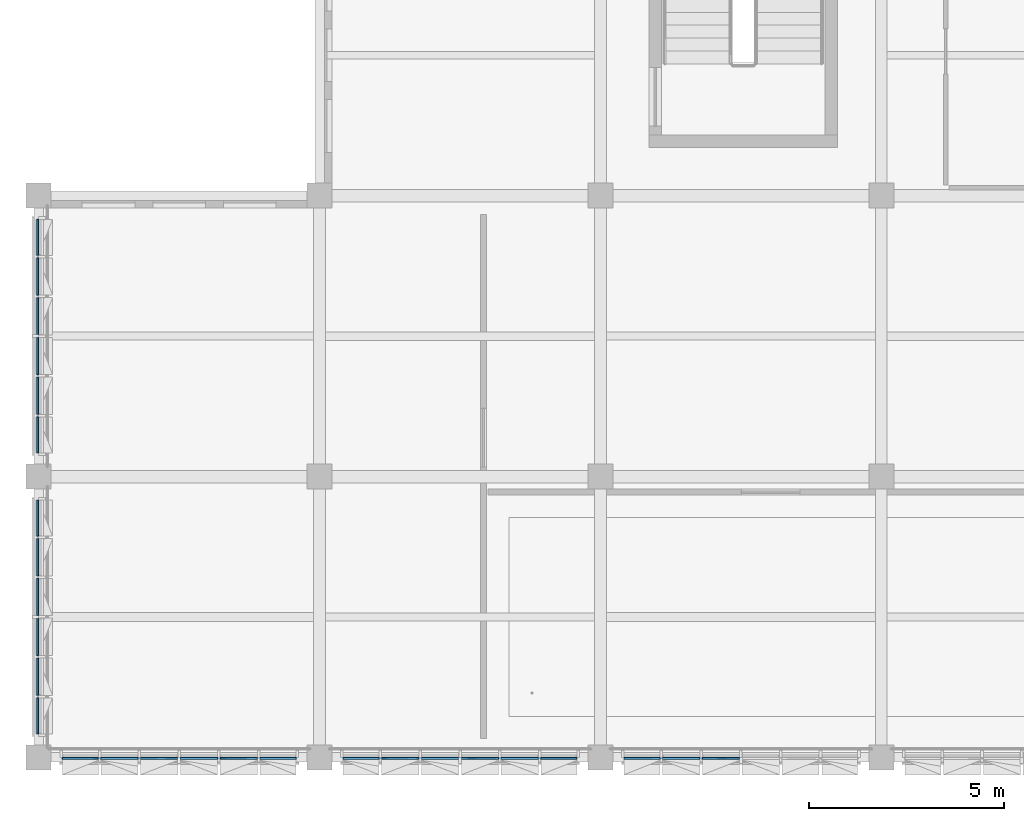
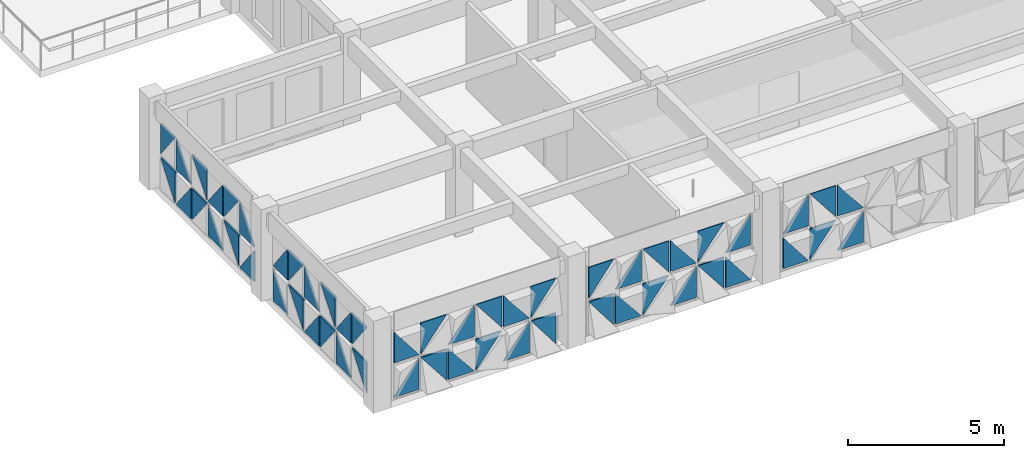
# One storey, part 29 of 85: 54 plates, 5 elements without a shape of their own.
"""IFC4 building model written with IfcOpenShell, lengths in metres."""

from ifc_helpers import new_model, si_unit, direction, frame, origin, place, context, subcontext, project, spatial, polyline, outline, extrude, material, layer, layer_set, type_object, element, aggregate, save


model = new_model("IFC4")

# Units and contexts
model_context = context("Model", 3, precision=1e-05, world=origin(), true_north=direction((0.0, 1.0)))
body_context = subcontext(model_context, "Body", "Model", "MODEL_VIEW")
ifc_project = project(units=[si_unit("LENGTHUNIT", "METRE"), si_unit("AREAUNIT", "SQUARE_METRE"), si_unit("VOLUMEUNIT", "CUBIC_METRE"), si_unit("PLANEANGLEUNIT", "RADIAN"), si_unit("MASSUNIT", "GRAM", prefix="KILO")], contexts=[model_context])

# Site, building, storey
site_placement = place(None, origin())
site = spatial("IfcSite", under=ifc_project, at=site_placement, CompositionType="ELEMENT")
building_placement = place(site_placement, origin())
building = spatial("IfcBuilding", under=site, at=building_placement, Name="Alvorim Cloister Faculty of Sciences", CompositionType="ELEMENT")
storey_placement = place(building_placement, frame((0.0, 0.0, 8.550048828125)))
storey = spatial("IfcBuildingStorey", under=building, at=storey_placement, Name="L02", CompositionType="ELEMENT", Elevation=8.550048828125)

# Curtain wall, plates
ifc_material_1 = material(Name="Aluminium and Low-E Glass Curtain Wall", Category="aluminium")
curtain_wall_type = type_object("IfcCurtainWallType", Name="CW-TRI-6120x2850", PredefinedType="USERDEFINED", material=ifc_material_1)
curtain_wall_1_placement = place(storey_placement, origin())
curtain_wall_1 = element("IfcCurtainWall", 1, at=curtain_wall_1_placement, inside=storey, type_object=curtain_wall_type, Name="L02 Diagonal Cassette Curtain Wall CW-0085", ObjectType="UNITISED CURTAIN WALL", PredefinedType="USERDEFINED")
ifc_material_2 = material(Name="Double Low-E Laminated Glass", Category="glass")
ifc_layer = layer(ifc_material_2, 0.0400390625)
ifc_layer_set = layer_set([ifc_layer], Name="Double Low-E Laminated Glass")
plate_type = type_object("IfcPlateType", Name="PN-GLZ-40", PredefinedType="CURTAIN_PANEL", material=ifc_layer_set)
plate_1_placement = place(storey_placement, frame((15.0048828125, -0.02490234375, 0.139892578125), z_axis=(0.0, 0.0, 1.0), x_axis=(1.0, 0.0, 0.0)))
plate_1 = element("IfcPlate", 2, at=plate_1_placement, type_object=plate_type, Name="Diagonal Glazed Triangle TRI-BL", PredefinedType="CURTAIN_PANEL", context=body_context, shape_type="SweptSolid", body=[
    extrude(outline(polyline([(0.0, 0.0), (0.920654296875, 0.0), (0.0, 1.213134765625), (0.0, 0.0)])), frame((0.0, 0.02490234375, 0.0), z_axis=(0.0, -1.0, 0.0), x_axis=(1.0, 0.0, 0.0)), (0.0, 0.0, 1.0), 0.050048828125),
])
plate_2_placement = place(storey_placement, frame((15.0048828125, -0.02490234375, 1.494873046875), z_axis=(0.0, 0.0, 1.0), x_axis=(1.0, 0.0, 0.0)))
plate_2 = element("IfcPlate", 3, at=plate_2_placement, type_object=plate_type, Name="Diagonal Glazed Triangle TRI-BR", PredefinedType="CURTAIN_PANEL", context=body_context, shape_type="SweptSolid", body=[
    extrude(outline(polyline([(0.001953125, 0.0), (0.922607421875, 0.0), (0.922607421875, 1.213134765625), (0.001953125, 0.0)])), frame((0.0, 0.02490234375, 0.0), z_axis=(0.0, -1.0, 0.0), x_axis=(1.0, 0.0, 0.0)), (0.0, 0.0, 1.0), 0.050048828125),
])
plate_3_placement = place(storey_placement, frame((15.992431640625, -0.02490234375, 0.139892578125), z_axis=(0.0, 0.0, 1.0), x_axis=(1.0, 0.0, 0.0)))
plate_3 = element("IfcPlate", 4, at=plate_3_placement, type_object=plate_type, Name="Diagonal Glazed Triangle TRI-TL", PredefinedType="CURTAIN_PANEL", context=body_context, shape_type="SweptSolid", body=[
    extrude(outline(polyline([(0.953125, 1.215087890625), (0.0, 1.215087890625), (0.0, 0.001953125), (0.953125, 1.215087890625)])), frame((0.0, 0.02490234375, 0.0), z_axis=(0.0, -1.0, 0.0), x_axis=(1.0, 0.0, 0.0)), (0.0, 0.0, 1.0), 0.050048828125),
])
plate_4_placement = place(storey_placement, frame((15.992431640625, -0.02490234375, 1.494873046875), z_axis=(0.0, 0.0, 1.0), x_axis=(1.0, 0.0, 0.0)))
plate_4 = element("IfcPlate", 5, at=plate_4_placement, type_object=plate_type, Name="Diagonal Glazed Triangle TRI-TR", PredefinedType="CURTAIN_PANEL", context=body_context, shape_type="SweptSolid", body=[
    extrude(outline(polyline([(0.955078125, 0.001953125), (0.955078125, 1.215087890625), (0.001953125, 1.215087890625), (0.955078125, 0.001953125)])), frame((0.0, 0.02490234375, 0.0), z_axis=(0.0, -1.0, 0.0), x_axis=(1.0, 0.0, 0.0)), (0.0, 0.0, 1.0), 0.050048828125),
])
plate_5_placement = place(storey_placement, frame((17.012451171875, -0.02490234375, 0.139892578125), z_axis=(0.0, 0.0, 1.0), x_axis=(1.0, 0.0, 0.0)))
plate_5 = element("IfcPlate", 6, at=plate_5_placement, type_object=plate_type, Name="Diagonal Glazed Triangle TRI-BR", PredefinedType="CURTAIN_PANEL", context=body_context, shape_type="SweptSolid", body=[
    extrude(outline(polyline([(0.001953125, 0.0), (0.955078125, 0.0), (0.955078125, 1.213134765625), (0.001953125, 0.0)])), frame((0.0, 0.02490234375, 0.0), z_axis=(0.0, -1.0, 0.0), x_axis=(1.0, 0.0, 0.0)), (0.0, 0.0, 1.0), 0.050048828125),
])
plate_6_placement = place(storey_placement, frame((17.012451171875, -0.02490234375, 1.494873046875), z_axis=(0.0, 0.0, 1.0), x_axis=(1.0, 0.0, 0.0)))
plate_6 = element("IfcPlate", 7, at=plate_6_placement, type_object=plate_type, Name="Diagonal Glazed Triangle TRI-BL", PredefinedType="CURTAIN_PANEL", context=body_context, shape_type="SweptSolid", body=[
    extrude(outline(polyline([(0.0, 0.0), (0.953125, 0.0), (0.0, 1.213134765625), (0.0, 0.0)])), frame((0.0, 0.02490234375, 0.0), z_axis=(0.0, -1.0, 0.0), x_axis=(1.0, 0.0, 0.0)), (0.0, 0.0, 1.0), 0.050048828125),
])
aggregate(curtain_wall_1, [plate_1, plate_2, plate_3, plate_4, plate_5, plate_6])

curtain_wall_2_placement = place(storey_placement, origin())
curtain_wall_2 = element("IfcCurtainWall", 8, at=curtain_wall_2_placement, inside=storey, type_object=curtain_wall_type, Name="L02 Diagonal Cassette Curtain Wall CW-0086", ObjectType="UNITISED CURTAIN WALL", PredefinedType="USERDEFINED")
plate_7_placement = place(storey_placement, frame((7.804931640625, -0.02490234375, 0.139892578125), z_axis=(0.0, 0.0, 1.0), x_axis=(1.0, 0.0, 0.0)))
plate_7 = element("IfcPlate", 9, at=plate_7_placement, type_object=plate_type, Name="Diagonal Glazed Triangle TRI-TR", PredefinedType="CURTAIN_PANEL", context=body_context, shape_type="SweptSolid", body=[
    extrude(outline(polyline([(0.922607421875, 0.001953125), (0.922607421875, 1.215087890625), (0.001953125, 1.215087890625), (0.922607421875, 0.001953125)])), frame((0.0, 0.02490234375, 0.0), z_axis=(0.0, -1.0, 0.0), x_axis=(1.0, 0.0, 0.0)), (0.0, 0.0, 1.0), 0.050048828125),
])
plate_8_placement = place(storey_placement, frame((7.804931640625, -0.02490234375, 1.494873046875), z_axis=(0.0, 0.0, 1.0), x_axis=(1.0, 0.0, 0.0)))
plate_8 = element("IfcPlate", 10, at=plate_8_placement, type_object=plate_type, Name="Diagonal Glazed Triangle TRI-TL", PredefinedType="CURTAIN_PANEL", context=body_context, shape_type="SweptSolid", body=[
    extrude(outline(polyline([(0.920654296875, 1.215087890625), (0.0, 1.215087890625), (0.0, 0.001953125), (0.920654296875, 1.215087890625)])), frame((0.0, 0.02490234375, 0.0), z_axis=(0.0, -1.0, 0.0), x_axis=(1.0, 0.0, 0.0)), (0.0, 0.0, 1.0), 0.050048828125),
])
plate_9_placement = place(storey_placement, frame((8.79248046875, -0.02490234375, 0.139892578125), z_axis=(0.0, 0.0, 1.0), x_axis=(1.0, 0.0, 0.0)))
plate_9 = element("IfcPlate", 11, at=plate_9_placement, type_object=plate_type, Name="Diagonal Glazed Triangle TRI-BL", PredefinedType="CURTAIN_PANEL", context=body_context, shape_type="SweptSolid", body=[
    extrude(outline(polyline([(0.0, 0.0), (0.953125, 0.0), (0.0, 1.213134765625), (0.0, 0.0)])), frame((0.0, 0.02490234375, 0.0), z_axis=(0.0, -1.0, 0.0), x_axis=(1.0, 0.0, 0.0)), (0.0, 0.0, 1.0), 0.050048828125),
])
plate_10_placement = place(storey_placement, frame((8.79248046875, -0.02490234375, 1.494873046875), z_axis=(0.0, 0.0, 1.0), x_axis=(1.0, 0.0, 0.0)))
plate_10 = element("IfcPlate", 12, at=plate_10_placement, type_object=plate_type, Name="Diagonal Glazed Triangle TRI-BR", PredefinedType="CURTAIN_PANEL", context=body_context, shape_type="SweptSolid", body=[
    extrude(outline(polyline([(0.001953125, 0.0), (0.955078125, 0.0), (0.955078125, 1.213134765625), (0.001953125, 0.0)])), frame((0.0, 0.02490234375, 0.0), z_axis=(0.0, -1.0, 0.0), x_axis=(1.0, 0.0, 0.0)), (0.0, 0.0, 1.0), 0.050048828125),
])
plate_11_placement = place(storey_placement, frame((9.8125, -0.02490234375, 0.139892578125), z_axis=(0.0, 0.0, 1.0), x_axis=(1.0, 0.0, 0.0)))
plate_11 = element("IfcPlate", 13, at=plate_11_placement, type_object=plate_type, Name="Diagonal Glazed Triangle TRI-TL", PredefinedType="CURTAIN_PANEL", context=body_context, shape_type="SweptSolid", body=[
    extrude(outline(polyline([(0.953125, 1.215087890625), (0.0, 1.215087890625), (0.0, 0.001953125), (0.953125, 1.215087890625)])), frame((0.0, 0.02490234375, 0.0), z_axis=(0.0, -1.0, 0.0), x_axis=(1.0, 0.0, 0.0)), (0.0, 0.0, 1.0), 0.050048828125),
])
plate_12_placement = place(storey_placement, frame((9.8125, -0.02490234375, 1.494873046875), z_axis=(0.0, 0.0, 1.0), x_axis=(1.0, 0.0, 0.0)))
plate_12 = element("IfcPlate", 14, at=plate_12_placement, type_object=plate_type, Name="Diagonal Glazed Triangle TRI-TR", PredefinedType="CURTAIN_PANEL", context=body_context, shape_type="SweptSolid", body=[
    extrude(outline(polyline([(0.955078125, 0.001953125), (0.955078125, 1.215087890625), (0.001953125, 1.215087890625), (0.955078125, 0.001953125)])), frame((0.0, 0.02490234375, 0.0), z_axis=(0.0, -1.0, 0.0), x_axis=(1.0, 0.0, 0.0)), (0.0, 0.0, 1.0), 0.050048828125),
])
plate_13_placement = place(storey_placement, frame((10.83251953125, -0.02490234375, 0.139892578125), z_axis=(0.0, 0.0, 1.0), x_axis=(1.0, 0.0, 0.0)))
plate_13 = element("IfcPlate", 15, at=plate_13_placement, type_object=plate_type, Name="Diagonal Glazed Triangle TRI-BR", PredefinedType="CURTAIN_PANEL", context=body_context, shape_type="SweptSolid", body=[
    extrude(outline(polyline([(0.001953125, 0.0), (0.955078125, 0.0), (0.955078125, 1.213134765625), (0.001953125, 0.0)])), frame((0.0, 0.02490234375, 0.0), z_axis=(0.0, -1.0, 0.0), x_axis=(1.0, 0.0, 0.0)), (0.0, 0.0, 1.0), 0.050048828125),
])
plate_14_placement = place(storey_placement, frame((10.83251953125, -0.02490234375, 1.494873046875), z_axis=(0.0, 0.0, 1.0), x_axis=(1.0, 0.0, 0.0)))
plate_14 = element("IfcPlate", 16, at=plate_14_placement, type_object=plate_type, Name="Diagonal Glazed Triangle TRI-BL", PredefinedType="CURTAIN_PANEL", context=body_context, shape_type="SweptSolid", body=[
    extrude(outline(polyline([(0.0, 0.0), (0.953125, 0.0), (0.0, 1.213134765625), (0.0, 0.0)])), frame((0.0, 0.02490234375, 0.0), z_axis=(0.0, -1.0, 0.0), x_axis=(1.0, 0.0, 0.0)), (0.0, 0.0, 1.0), 0.050048828125),
])
plate_15_placement = place(storey_placement, frame((11.8525390625, -0.02490234375, 0.139892578125), z_axis=(0.0, 0.0, 1.0), x_axis=(1.0, 0.0, 0.0)))
plate_15 = element("IfcPlate", 17, at=plate_15_placement, type_object=plate_type, Name="Diagonal Glazed Triangle TRI-TR", PredefinedType="CURTAIN_PANEL", context=body_context, shape_type="SweptSolid", body=[
    extrude(outline(polyline([(0.955078125, 0.001953125), (0.955078125, 1.215087890625), (0.001953125, 1.215087890625), (0.955078125, 0.001953125)])), frame((0.0, 0.02490234375, 0.0), z_axis=(0.0, -1.0, 0.0), x_axis=(1.0, 0.0, 0.0)), (0.0, 0.0, 1.0), 0.050048828125),
])
plate_16_placement = place(storey_placement, frame((11.8525390625, -0.02490234375, 1.494873046875), z_axis=(0.0, 0.0, 1.0), x_axis=(1.0, 0.0, 0.0)))
plate_16 = element("IfcPlate", 18, at=plate_16_placement, type_object=plate_type, Name="Diagonal Glazed Triangle TRI-TL", PredefinedType="CURTAIN_PANEL", context=body_context, shape_type="SweptSolid", body=[
    extrude(outline(polyline([(0.953125, 1.215087890625), (0.0, 1.215087890625), (0.0, 0.001953125), (0.953125, 1.215087890625)])), frame((0.0, 0.02490234375, 0.0), z_axis=(0.0, -1.0, 0.0), x_axis=(1.0, 0.0, 0.0)), (0.0, 0.0, 1.0), 0.050048828125),
])
plate_17_placement = place(storey_placement, frame((12.87255859375, -0.02490234375, 0.139892578125), z_axis=(0.0, 0.0, 1.0), x_axis=(1.0, 0.0, 0.0)))
plate_17 = element("IfcPlate", 19, at=plate_17_placement, type_object=plate_type, Name="Diagonal Glazed Triangle TRI-BL", PredefinedType="CURTAIN_PANEL", context=body_context, shape_type="SweptSolid", body=[
    extrude(outline(polyline([(0.0, 0.0), (0.920654296875, 0.0), (0.0, 1.213134765625), (0.0, 0.0)])), frame((0.0, 0.02490234375, 0.0), z_axis=(0.0, -1.0, 0.0), x_axis=(1.0, 0.0, 0.0)), (0.0, 0.0, 1.0), 0.050048828125),
])
plate_18_placement = place(storey_placement, frame((12.87255859375, -0.02490234375, 1.494873046875), z_axis=(0.0, 0.0, 1.0), x_axis=(1.0, 0.0, 0.0)))
plate_18 = element("IfcPlate", 20, at=plate_18_placement, type_object=plate_type, Name="Diagonal Glazed Triangle TRI-BR", PredefinedType="CURTAIN_PANEL", context=body_context, shape_type="SweptSolid", body=[
    extrude(outline(polyline([(0.001953125, 0.0), (0.922607421875, 0.0), (0.922607421875, 1.213134765625), (0.001953125, 0.0)])), frame((0.0, 0.02490234375, 0.0), z_axis=(0.0, -1.0, 0.0), x_axis=(1.0, 0.0, 0.0)), (0.0, 0.0, 1.0), 0.050048828125),
])
aggregate(curtain_wall_2, [plate_7, plate_8, plate_9, plate_10, plate_11, plate_12, plate_13, plate_14, plate_15, plate_16, plate_17, plate_18])

curtain_wall_3_placement = place(storey_placement, origin())
curtain_wall_3 = element("IfcCurtainWall", 21, at=curtain_wall_3_placement, inside=storey, type_object=curtain_wall_type, Name="L02 Diagonal Cassette Curtain Wall CW-0087", ObjectType="UNITISED CURTAIN WALL", PredefinedType="USERDEFINED")
plate_19_placement = place(storey_placement, frame((0.60498046875, -0.02490234375, 0.139892578125), z_axis=(0.0, 0.0, 1.0), x_axis=(1.0, 0.0, 0.0)))
plate_19 = element("IfcPlate", 22, at=plate_19_placement, type_object=plate_type, Name="Diagonal Glazed Triangle TRI-BR", PredefinedType="CURTAIN_PANEL", context=body_context, shape_type="SweptSolid", body=[
    extrude(outline(polyline([(0.001953125, 0.0), (0.922607421875, 0.0), (0.922607421875, 1.213134765625), (0.001953125, 0.0)])), frame((0.0, 0.02490234375, 0.0), z_axis=(0.0, -1.0, 0.0), x_axis=(1.0, 0.0, 0.0)), (0.0, 0.0, 1.0), 0.050048828125),
])
plate_20_placement = place(storey_placement, frame((0.60498046875, -0.02490234375, 1.494873046875), z_axis=(0.0, 0.0, 1.0), x_axis=(1.0, 0.0, 0.0)))
plate_20 = element("IfcPlate", 23, at=plate_20_placement, type_object=plate_type, Name="Diagonal Glazed Triangle TRI-BL", PredefinedType="CURTAIN_PANEL", context=body_context, shape_type="SweptSolid", body=[
    extrude(outline(polyline([(0.0, 0.0), (0.920654296875, 0.0), (0.0, 1.213134765625), (0.0, 0.0)])), frame((0.0, 0.02490234375, 0.0), z_axis=(0.0, -1.0, 0.0), x_axis=(1.0, 0.0, 0.0)), (0.0, 0.0, 1.0), 0.050048828125),
])
plate_21_placement = place(storey_placement, frame((1.592529296875, -0.02490234375, 0.139892578125), z_axis=(0.0, 0.0, 1.0), x_axis=(1.0, 0.0, 0.0)))
plate_21 = element("IfcPlate", 24, at=plate_21_placement, type_object=plate_type, Name="Diagonal Glazed Triangle TRI-TR", PredefinedType="CURTAIN_PANEL", context=body_context, shape_type="SweptSolid", body=[
    extrude(outline(polyline([(0.955078125, 0.001953125), (0.955078125, 1.215087890625), (0.001953125, 1.215087890625), (0.955078125, 0.001953125)])), frame((0.0, 0.02490234375, 0.0), z_axis=(0.0, -1.0, 0.0), x_axis=(1.0, 0.0, 0.0)), (0.0, 0.0, 1.0), 0.050048828125),
])
plate_22_placement = place(storey_placement, frame((1.592529296875, -0.02490234375, 1.494873046875), z_axis=(0.0, 0.0, 1.0), x_axis=(1.0, 0.0, 0.0)))
plate_22 = element("IfcPlate", 25, at=plate_22_placement, type_object=plate_type, Name="Diagonal Glazed Triangle TRI-TL", PredefinedType="CURTAIN_PANEL", context=body_context, shape_type="SweptSolid", body=[
    extrude(outline(polyline([(0.953125, 1.215087890625), (0.0, 1.215087890625), (0.0, 0.001953125), (0.953125, 1.215087890625)])), frame((0.0, 0.02490234375, 0.0), z_axis=(0.0, -1.0, 0.0), x_axis=(1.0, 0.0, 0.0)), (0.0, 0.0, 1.0), 0.050048828125),
])
plate_23_placement = place(storey_placement, frame((2.612548828125, -0.02490234375, 0.139892578125), z_axis=(0.0, 0.0, 1.0), x_axis=(1.0, 0.0, 0.0)))
plate_23 = element("IfcPlate", 26, at=plate_23_placement, type_object=plate_type, Name="Diagonal Glazed Triangle TRI-BL", PredefinedType="CURTAIN_PANEL", context=body_context, shape_type="SweptSolid", body=[
    extrude(outline(polyline([(0.0, 0.0), (0.953125, 0.0), (0.0, 1.213134765625), (0.0, 0.0)])), frame((0.0, 0.02490234375, 0.0), z_axis=(0.0, -1.0, 0.0), x_axis=(1.0, 0.0, 0.0)), (0.0, 0.0, 1.0), 0.050048828125),
])
plate_24_placement = place(storey_placement, frame((2.612548828125, -0.02490234375, 1.494873046875), z_axis=(0.0, 0.0, 1.0), x_axis=(1.0, 0.0, 0.0)))
plate_24 = element("IfcPlate", 27, at=plate_24_placement, type_object=plate_type, Name="Diagonal Glazed Triangle TRI-BR", PredefinedType="CURTAIN_PANEL", context=body_context, shape_type="SweptSolid", body=[
    extrude(outline(polyline([(0.001953125, 0.0), (0.955078125, 0.0), (0.955078125, 1.213134765625), (0.001953125, 0.0)])), frame((0.0, 0.02490234375, 0.0), z_axis=(0.0, -1.0, 0.0), x_axis=(1.0, 0.0, 0.0)), (0.0, 0.0, 1.0), 0.050048828125),
])
plate_25_placement = place(storey_placement, frame((3.632568359375, -0.02490234375, 0.139892578125), z_axis=(0.0, 0.0, 1.0), x_axis=(1.0, 0.0, 0.0)))
plate_25 = element("IfcPlate", 28, at=plate_25_placement, type_object=plate_type, Name="Diagonal Glazed Triangle TRI-TL", PredefinedType="CURTAIN_PANEL", context=body_context, shape_type="SweptSolid", body=[
    extrude(outline(polyline([(0.953125, 1.215087890625), (0.0, 1.215087890625), (0.0, 0.001953125), (0.953125, 1.215087890625)])), frame((0.0, 0.02490234375, 0.0), z_axis=(0.0, -1.0, 0.0), x_axis=(1.0, 0.0, 0.0)), (0.0, 0.0, 1.0), 0.050048828125),
])
plate_26_placement = place(storey_placement, frame((3.632568359375, -0.02490234375, 1.494873046875), z_axis=(0.0, 0.0, 1.0), x_axis=(1.0, 0.0, 0.0)))
plate_26 = element("IfcPlate", 29, at=plate_26_placement, type_object=plate_type, Name="Diagonal Glazed Triangle TRI-TR", PredefinedType="CURTAIN_PANEL", context=body_context, shape_type="SweptSolid", body=[
    extrude(outline(polyline([(0.955078125, 0.001953125), (0.955078125, 1.215087890625), (0.001953125, 1.215087890625), (0.955078125, 0.001953125)])), frame((0.0, 0.02490234375, 0.0), z_axis=(0.0, -1.0, 0.0), x_axis=(1.0, 0.0, 0.0)), (0.0, 0.0, 1.0), 0.050048828125),
])
plate_27_placement = place(storey_placement, frame((4.652587890625, -0.02490234375, 0.139892578125), z_axis=(0.0, 0.0, 1.0), x_axis=(1.0, 0.0, 0.0)))
plate_27 = element("IfcPlate", 30, at=plate_27_placement, type_object=plate_type, Name="Diagonal Glazed Triangle TRI-BR", PredefinedType="CURTAIN_PANEL", context=body_context, shape_type="SweptSolid", body=[
    extrude(outline(polyline([(0.001953125, 0.0), (0.955078125, 0.0), (0.955078125, 1.213134765625), (0.001953125, 0.0)])), frame((0.0, 0.02490234375, 0.0), z_axis=(0.0, -1.0, 0.0), x_axis=(1.0, 0.0, 0.0)), (0.0, 0.0, 1.0), 0.050048828125),
])
plate_28_placement = place(storey_placement, frame((4.652587890625, -0.02490234375, 1.494873046875), z_axis=(0.0, 0.0, 1.0), x_axis=(1.0, 0.0, 0.0)))
plate_28 = element("IfcPlate", 31, at=plate_28_placement, type_object=plate_type, Name="Diagonal Glazed Triangle TRI-BL", PredefinedType="CURTAIN_PANEL", context=body_context, shape_type="SweptSolid", body=[
    extrude(outline(polyline([(0.0, 0.0), (0.953125, 0.0), (0.0, 1.213134765625), (0.0, 0.0)])), frame((0.0, 0.02490234375, 0.0), z_axis=(0.0, -1.0, 0.0), x_axis=(1.0, 0.0, 0.0)), (0.0, 0.0, 1.0), 0.050048828125),
])
plate_29_placement = place(storey_placement, frame((5.672607421875, -0.02490234375, 0.139892578125), z_axis=(0.0, 0.0, 1.0), x_axis=(1.0, 0.0, 0.0)))
plate_29 = element("IfcPlate", 32, at=plate_29_placement, type_object=plate_type, Name="Diagonal Glazed Triangle TRI-TR", PredefinedType="CURTAIN_PANEL", context=body_context, shape_type="SweptSolid", body=[
    extrude(outline(polyline([(0.922607421875, 0.001953125), (0.922607421875, 1.215087890625), (0.001953125, 1.215087890625), (0.922607421875, 0.001953125)])), frame((0.0, 0.02490234375, 0.0), z_axis=(0.0, -1.0, 0.0), x_axis=(1.0, 0.0, 0.0)), (0.0, 0.0, 1.0), 0.050048828125),
])
plate_30_placement = place(storey_placement, frame((5.672607421875, -0.02490234375, 1.494873046875), z_axis=(0.0, 0.0, 1.0), x_axis=(1.0, 0.0, 0.0)))
plate_30 = element("IfcPlate", 33, at=plate_30_placement, type_object=plate_type, Name="Diagonal Glazed Triangle TRI-TL", PredefinedType="CURTAIN_PANEL", context=body_context, shape_type="SweptSolid", body=[
    extrude(outline(polyline([(0.920654296875, 1.215087890625), (0.0, 1.215087890625), (0.0, 0.001953125), (0.920654296875, 1.215087890625)])), frame((0.0, 0.02490234375, 0.0), z_axis=(0.0, -1.0, 0.0), x_axis=(1.0, 0.0, 0.0)), (0.0, 0.0, 1.0), 0.050048828125),
])
aggregate(curtain_wall_3, [plate_19, plate_20, plate_21, plate_22, plate_23, plate_24, plate_25, plate_26, plate_27, plate_28, plate_29, plate_30])

curtain_wall_4_placement = place(storey_placement, origin())
curtain_wall_4 = element("IfcCurtainWall", 34, at=curtain_wall_4_placement, inside=storey, type_object=curtain_wall_type, Name="L02 Diagonal Cassette Curtain Wall CW-0088", ObjectType="UNITISED CURTAIN WALL", PredefinedType="USERDEFINED")
plate_31_placement = place(storey_placement, frame((-0.02490234375, 0.60498046875, 0.139892578125), z_axis=(0.0, 0.0, 1.0), x_axis=(0.0, 1.0, 0.0)))
plate_31 = element("IfcPlate", 35, at=plate_31_placement, type_object=plate_type, Name="Diagonal Glazed Triangle TRI-TL", PredefinedType="CURTAIN_PANEL", context=body_context, shape_type="SweptSolid", body=[
    extrude(outline(polyline([(0.920654296875, 1.215087890625), (0.0, 1.215087890625), (0.0, 0.001953125), (0.920654296875, 1.215087890625)])), frame((0.0, 0.02490234375, 0.0), z_axis=(0.0, -1.0, 0.0), x_axis=(1.0, 0.0, 0.0)), (0.0, 0.0, 1.0), 0.050048828125),
])
plate_32_placement = place(storey_placement, frame((-0.02490234375, 0.60498046875, 1.494873046875), z_axis=(0.0, 0.0, 1.0), x_axis=(0.0, 1.0, 0.0)))
plate_32 = element("IfcPlate", 36, at=plate_32_placement, type_object=plate_type, Name="Diagonal Glazed Triangle TRI-TR", PredefinedType="CURTAIN_PANEL", context=body_context, shape_type="SweptSolid", body=[
    extrude(outline(polyline([(0.922607421875, 0.001953125), (0.922607421875, 1.215087890625), (0.001953125, 1.215087890625), (0.922607421875, 0.001953125)])), frame((0.0, 0.02490234375, 0.0), z_axis=(0.0, -1.0, 0.0), x_axis=(1.0, 0.0, 0.0)), (0.0, 0.0, 1.0), 0.050048828125),
])
plate_33_placement = place(storey_placement, frame((-0.02490234375, 1.592529296875, 0.139892578125), z_axis=(0.0, 0.0, 1.0), x_axis=(0.0, 1.0, 0.0)))
plate_33 = element("IfcPlate", 37, at=plate_33_placement, type_object=plate_type, Name="Diagonal Glazed Triangle TRI-BR", PredefinedType="CURTAIN_PANEL", context=body_context, shape_type="SweptSolid", body=[
    extrude(outline(polyline([(0.001953125, 0.0), (0.955078125, 0.0), (0.955078125, 1.213134765625), (0.001953125, 0.0)])), frame((0.0, 0.02490234375, 0.0), z_axis=(0.0, -1.0, 0.0), x_axis=(1.0, 0.0, 0.0)), (0.0, 0.0, 1.0), 0.050048828125),
])
plate_34_placement = place(storey_placement, frame((-0.02490234375, 1.592529296875, 1.494873046875), z_axis=(0.0, 0.0, 1.0), x_axis=(0.0, 1.0, 0.0)))
plate_34 = element("IfcPlate", 38, at=plate_34_placement, type_object=plate_type, Name="Diagonal Glazed Triangle TRI-BL", PredefinedType="CURTAIN_PANEL", context=body_context, shape_type="SweptSolid", body=[
    extrude(outline(polyline([(0.0, 0.0), (0.953125, 0.0), (0.0, 1.213134765625), (0.0, 0.0)])), frame((0.0, 0.02490234375, 0.0), z_axis=(0.0, -1.0, 0.0), x_axis=(1.0, 0.0, 0.0)), (0.0, 0.0, 1.0), 0.050048828125),
])
plate_35_placement = place(storey_placement, frame((-0.02490234375, 2.612548828125, 0.139892578125), z_axis=(0.0, 0.0, 1.0), x_axis=(0.0, 1.0, 0.0)))
plate_35 = element("IfcPlate", 39, at=plate_35_placement, type_object=plate_type, Name="Diagonal Glazed Triangle TRI-TR", PredefinedType="CURTAIN_PANEL", context=body_context, shape_type="SweptSolid", body=[
    extrude(outline(polyline([(0.955078125, 0.001953125), (0.955078125, 1.215087890625), (0.001953125, 1.215087890625), (0.955078125, 0.001953125)])), frame((0.0, 0.02490234375, 0.0), z_axis=(0.0, -1.0, 0.0), x_axis=(1.0, 0.0, 0.0)), (0.0, 0.0, 1.0), 0.050048828125),
])
plate_36_placement = place(storey_placement, frame((-0.02490234375, 2.612548828125, 1.494873046875), z_axis=(0.0, 0.0, 1.0), x_axis=(0.0, 1.0, 0.0)))
plate_36 = element("IfcPlate", 40, at=plate_36_placement, type_object=plate_type, Name="Diagonal Glazed Triangle TRI-TL", PredefinedType="CURTAIN_PANEL", context=body_context, shape_type="SweptSolid", body=[
    extrude(outline(polyline([(0.953125, 1.215087890625), (0.0, 1.215087890625), (0.0, 0.001953125), (0.953125, 1.215087890625)])), frame((0.0, 0.02490234375, 0.0), z_axis=(0.0, -1.0, 0.0), x_axis=(1.0, 0.0, 0.0)), (0.0, 0.0, 1.0), 0.050048828125),
])
plate_37_placement = place(storey_placement, frame((-0.02490234375, 3.632568359375, 0.139892578125), z_axis=(0.0, 0.0, 1.0), x_axis=(0.0, 1.0, 0.0)))
plate_37 = element("IfcPlate", 41, at=plate_37_placement, type_object=plate_type, Name="Diagonal Glazed Triangle TRI-BL", PredefinedType="CURTAIN_PANEL", context=body_context, shape_type="SweptSolid", body=[
    extrude(outline(polyline([(0.0, 0.0), (0.953125, 0.0), (0.0, 1.213134765625), (0.0, 0.0)])), frame((0.0, 0.02490234375, 0.0), z_axis=(0.0, -1.0, 0.0), x_axis=(1.0, 0.0, 0.0)), (0.0, 0.0, 1.0), 0.050048828125),
])
plate_38_placement = place(storey_placement, frame((-0.02490234375, 3.632568359375, 1.494873046875), z_axis=(0.0, 0.0, 1.0), x_axis=(0.0, 1.0, 0.0)))
plate_38 = element("IfcPlate", 42, at=plate_38_placement, type_object=plate_type, Name="Diagonal Glazed Triangle TRI-BR", PredefinedType="CURTAIN_PANEL", context=body_context, shape_type="SweptSolid", body=[
    extrude(outline(polyline([(0.001953125, 0.0), (0.955078125, 0.0), (0.955078125, 1.213134765625), (0.001953125, 0.0)])), frame((0.0, 0.02490234375, 0.0), z_axis=(0.0, -1.0, 0.0), x_axis=(1.0, 0.0, 0.0)), (0.0, 0.0, 1.0), 0.050048828125),
])
plate_39_placement = place(storey_placement, frame((-0.02490234375, 4.652587890625, 0.139892578125), z_axis=(0.0, 0.0, 1.0), x_axis=(0.0, 1.0, 0.0)))
plate_39 = element("IfcPlate", 43, at=plate_39_placement, type_object=plate_type, Name="Diagonal Glazed Triangle TRI-TL", PredefinedType="CURTAIN_PANEL", context=body_context, shape_type="SweptSolid", body=[
    extrude(outline(polyline([(0.953125, 1.215087890625), (0.0, 1.215087890625), (0.0, 0.001953125), (0.953125, 1.215087890625)])), frame((0.0, 0.02490234375, 0.0), z_axis=(0.0, -1.0, 0.0), x_axis=(1.0, 0.0, 0.0)), (0.0, 0.0, 1.0), 0.050048828125),
])
plate_40_placement = place(storey_placement, frame((-0.02490234375, 4.652587890625, 1.494873046875), z_axis=(0.0, 0.0, 1.0), x_axis=(0.0, 1.0, 0.0)))
plate_40 = element("IfcPlate", 44, at=plate_40_placement, type_object=plate_type, Name="Diagonal Glazed Triangle TRI-TR", PredefinedType="CURTAIN_PANEL", context=body_context, shape_type="SweptSolid", body=[
    extrude(outline(polyline([(0.955078125, 0.001953125), (0.955078125, 1.215087890625), (0.001953125, 1.215087890625), (0.955078125, 0.001953125)])), frame((0.0, 0.02490234375, 0.0), z_axis=(0.0, -1.0, 0.0), x_axis=(1.0, 0.0, 0.0)), (0.0, 0.0, 1.0), 0.050048828125),
])
plate_41_placement = place(storey_placement, frame((-0.02490234375, 5.672607421875, 0.139892578125), z_axis=(0.0, 0.0, 1.0), x_axis=(0.0, 1.0, 0.0)))
plate_41 = element("IfcPlate", 45, at=plate_41_placement, type_object=plate_type, Name="Diagonal Glazed Triangle TRI-BR", PredefinedType="CURTAIN_PANEL", context=body_context, shape_type="SweptSolid", body=[
    extrude(outline(polyline([(0.001953125, 0.0), (0.922607421875, 0.0), (0.922607421875, 1.213134765625), (0.001953125, 0.0)])), frame((0.0, 0.02490234375, 0.0), z_axis=(0.0, -1.0, 0.0), x_axis=(1.0, 0.0, 0.0)), (0.0, 0.0, 1.0), 0.050048828125),
])
plate_42_placement = place(storey_placement, frame((-0.02490234375, 5.672607421875, 1.494873046875), z_axis=(0.0, 0.0, 1.0), x_axis=(0.0, 1.0, 0.0)))
plate_42 = element("IfcPlate", 46, at=plate_42_placement, type_object=plate_type, Name="Diagonal Glazed Triangle TRI-BL", PredefinedType="CURTAIN_PANEL", context=body_context, shape_type="SweptSolid", body=[
    extrude(outline(polyline([(0.0, 0.0), (0.920654296875, 0.0), (0.0, 1.213134765625), (0.0, 0.0)])), frame((0.0, 0.02490234375, 0.0), z_axis=(0.0, -1.0, 0.0), x_axis=(1.0, 0.0, 0.0)), (0.0, 0.0, 1.0), 0.050048828125),
])
aggregate(curtain_wall_4, [plate_31, plate_32, plate_33, plate_34, plate_35, plate_36, plate_37, plate_38, plate_39, plate_40, plate_41, plate_42])

curtain_wall_5_placement = place(storey_placement, origin())
curtain_wall_5 = element("IfcCurtainWall", 47, at=curtain_wall_5_placement, inside=storey, type_object=curtain_wall_type, Name="L02 Diagonal Cassette Curtain Wall CW-0089", ObjectType="UNITISED CURTAIN WALL", PredefinedType="USERDEFINED")
plate_43_placement = place(storey_placement, frame((-0.02490234375, 7.804931640625, 0.139892578125), z_axis=(0.0, 0.0, 1.0), x_axis=(0.0, 1.0, 0.0)))
plate_43 = element("IfcPlate", 48, at=plate_43_placement, type_object=plate_type, Name="Diagonal Glazed Triangle TRI-BL", PredefinedType="CURTAIN_PANEL", context=body_context, shape_type="SweptSolid", body=[
    extrude(outline(polyline([(0.0, 0.0), (0.920654296875, 0.0), (0.0, 1.213134765625), (0.0, 0.0)])), frame((0.0, 0.02490234375, 0.0), z_axis=(0.0, -1.0, 0.0), x_axis=(1.0, 0.0, 0.0)), (0.0, 0.0, 1.0), 0.050048828125),
])
plate_44_placement = place(storey_placement, frame((-0.02490234375, 7.804931640625, 1.494873046875), z_axis=(0.0, 0.0, 1.0), x_axis=(0.0, 1.0, 0.0)))
plate_44 = element("IfcPlate", 49, at=plate_44_placement, type_object=plate_type, Name="Diagonal Glazed Triangle TRI-BR", PredefinedType="CURTAIN_PANEL", context=body_context, shape_type="SweptSolid", body=[
    extrude(outline(polyline([(0.001953125, 0.0), (0.922607421875, 0.0), (0.922607421875, 1.213134765625), (0.001953125, 0.0)])), frame((0.0, 0.02490234375, 0.0), z_axis=(0.0, -1.0, 0.0), x_axis=(1.0, 0.0, 0.0)), (0.0, 0.0, 1.0), 0.050048828125),
])
plate_45_placement = place(storey_placement, frame((-0.02490234375, 8.79248046875, 0.139892578125), z_axis=(0.0, 0.0, 1.0), x_axis=(0.0, 1.0, 0.0)))
plate_45 = element("IfcPlate", 50, at=plate_45_placement, type_object=plate_type, Name="Diagonal Glazed Triangle TRI-TL", PredefinedType="CURTAIN_PANEL", context=body_context, shape_type="SweptSolid", body=[
    extrude(outline(polyline([(0.953125, 1.215087890625), (0.0, 1.215087890625), (0.0, 0.001953125), (0.953125, 1.215087890625)])), frame((0.0, 0.02490234375, 0.0), z_axis=(0.0, -1.0, 0.0), x_axis=(1.0, 0.0, 0.0)), (0.0, 0.0, 1.0), 0.050048828125),
])
plate_46_placement = place(storey_placement, frame((-0.02490234375, 8.79248046875, 1.494873046875), z_axis=(0.0, 0.0, 1.0), x_axis=(0.0, 1.0, 0.0)))
plate_46 = element("IfcPlate", 51, at=plate_46_placement, type_object=plate_type, Name="Diagonal Glazed Triangle TRI-TR", PredefinedType="CURTAIN_PANEL", context=body_context, shape_type="SweptSolid", body=[
    extrude(outline(polyline([(0.955078125, 0.001953125), (0.955078125, 1.215087890625), (0.001953125, 1.215087890625), (0.955078125, 0.001953125)])), frame((0.0, 0.02490234375, 0.0), z_axis=(0.0, -1.0, 0.0), x_axis=(1.0, 0.0, 0.0)), (0.0, 0.0, 1.0), 0.050048828125),
])
plate_47_placement = place(storey_placement, frame((-0.02490234375, 9.8125, 0.139892578125), z_axis=(0.0, 0.0, 1.0), x_axis=(0.0, 1.0, 0.0)))
plate_47 = element("IfcPlate", 52, at=plate_47_placement, type_object=plate_type, Name="Diagonal Glazed Triangle TRI-BR", PredefinedType="CURTAIN_PANEL", context=body_context, shape_type="SweptSolid", body=[
    extrude(outline(polyline([(0.001953125, 0.0), (0.955078125, 0.0), (0.955078125, 1.213134765625), (0.001953125, 0.0)])), frame((0.0, 0.02490234375, 0.0), z_axis=(0.0, -1.0, 0.0), x_axis=(1.0, 0.0, 0.0)), (0.0, 0.0, 1.0), 0.050048828125),
])
plate_48_placement = place(storey_placement, frame((-0.02490234375, 9.8125, 1.494873046875), z_axis=(0.0, 0.0, 1.0), x_axis=(0.0, 1.0, 0.0)))
plate_48 = element("IfcPlate", 53, at=plate_48_placement, type_object=plate_type, Name="Diagonal Glazed Triangle TRI-BL", PredefinedType="CURTAIN_PANEL", context=body_context, shape_type="SweptSolid", body=[
    extrude(outline(polyline([(0.0, 0.0), (0.953125, 0.0), (0.0, 1.213134765625), (0.0, 0.0)])), frame((0.0, 0.02490234375, 0.0), z_axis=(0.0, -1.0, 0.0), x_axis=(1.0, 0.0, 0.0)), (0.0, 0.0, 1.0), 0.050048828125),
])
plate_49_placement = place(storey_placement, frame((-0.02490234375, 10.83251953125, 0.139892578125), z_axis=(0.0, 0.0, 1.0), x_axis=(0.0, 1.0, 0.0)))
plate_49 = element("IfcPlate", 54, at=plate_49_placement, type_object=plate_type, Name="Diagonal Glazed Triangle TRI-TR", PredefinedType="CURTAIN_PANEL", context=body_context, shape_type="SweptSolid", body=[
    extrude(outline(polyline([(0.955078125, 0.001953125), (0.955078125, 1.215087890625), (0.001953125, 1.215087890625), (0.955078125, 0.001953125)])), frame((0.0, 0.02490234375, 0.0), z_axis=(0.0, -1.0, 0.0), x_axis=(1.0, 0.0, 0.0)), (0.0, 0.0, 1.0), 0.050048828125),
])
plate_50_placement = place(storey_placement, frame((-0.02490234375, 10.83251953125, 1.494873046875), z_axis=(0.0, 0.0, 1.0), x_axis=(0.0, 1.0, 0.0)))
plate_50 = element("IfcPlate", 55, at=plate_50_placement, type_object=plate_type, Name="Diagonal Glazed Triangle TRI-TL", PredefinedType="CURTAIN_PANEL", context=body_context, shape_type="SweptSolid", body=[
    extrude(outline(polyline([(0.953125, 1.215087890625), (0.0, 1.215087890625), (0.0, 0.001953125), (0.953125, 1.215087890625)])), frame((0.0, 0.02490234375, 0.0), z_axis=(0.0, -1.0, 0.0), x_axis=(1.0, 0.0, 0.0)), (0.0, 0.0, 1.0), 0.050048828125),
])
plate_51_placement = place(storey_placement, frame((-0.02490234375, 11.8525390625, 0.139892578125), z_axis=(0.0, 0.0, 1.0), x_axis=(0.0, 1.0, 0.0)))
plate_51 = element("IfcPlate", 56, at=plate_51_placement, type_object=plate_type, Name="Diagonal Glazed Triangle TRI-BL", PredefinedType="CURTAIN_PANEL", context=body_context, shape_type="SweptSolid", body=[
    extrude(outline(polyline([(0.0, 0.0), (0.953125, 0.0), (0.0, 1.213134765625), (0.0, 0.0)])), frame((0.0, 0.02490234375, 0.0), z_axis=(0.0, -1.0, 0.0), x_axis=(1.0, 0.0, 0.0)), (0.0, 0.0, 1.0), 0.050048828125),
])
plate_52_placement = place(storey_placement, frame((-0.02490234375, 11.8525390625, 1.494873046875), z_axis=(0.0, 0.0, 1.0), x_axis=(0.0, 1.0, 0.0)))
plate_52 = element("IfcPlate", 57, at=plate_52_placement, type_object=plate_type, Name="Diagonal Glazed Triangle TRI-BR", PredefinedType="CURTAIN_PANEL", context=body_context, shape_type="SweptSolid", body=[
    extrude(outline(polyline([(0.001953125, 0.0), (0.955078125, 0.0), (0.955078125, 1.213134765625), (0.001953125, 0.0)])), frame((0.0, 0.02490234375, 0.0), z_axis=(0.0, -1.0, 0.0), x_axis=(1.0, 0.0, 0.0)), (0.0, 0.0, 1.0), 0.050048828125),
])
plate_53_placement = place(storey_placement, frame((-0.02490234375, 12.87255859375, 0.139892578125), z_axis=(0.0, 0.0, 1.0), x_axis=(0.0, 1.0, 0.0)))
plate_53 = element("IfcPlate", 58, at=plate_53_placement, type_object=plate_type, Name="Diagonal Glazed Triangle TRI-TL", PredefinedType="CURTAIN_PANEL", context=body_context, shape_type="SweptSolid", body=[
    extrude(outline(polyline([(0.920654296875, 1.215087890625), (0.0, 1.215087890625), (0.0, 0.001953125), (0.920654296875, 1.215087890625)])), frame((0.0, 0.02490234375, 0.0), z_axis=(0.0, -1.0, 0.0), x_axis=(1.0, 0.0, 0.0)), (0.0, 0.0, 1.0), 0.050048828125),
])
plate_54_placement = place(storey_placement, frame((-0.02490234375, 12.87255859375, 1.494873046875), z_axis=(0.0, 0.0, 1.0), x_axis=(0.0, 1.0, 0.0)))
plate_54 = element("IfcPlate", 59, at=plate_54_placement, type_object=plate_type, Name="Diagonal Glazed Triangle TRI-TR", PredefinedType="CURTAIN_PANEL", context=body_context, shape_type="SweptSolid", body=[
    extrude(outline(polyline([(0.922607421875, 0.001953125), (0.922607421875, 1.215087890625), (0.001953125, 1.215087890625), (0.922607421875, 0.001953125)])), frame((0.0, 0.02490234375, 0.0), z_axis=(0.0, -1.0, 0.0), x_axis=(1.0, 0.0, 0.0)), (0.0, 0.0, 1.0), 0.050048828125),
])
aggregate(curtain_wall_5, [plate_43, plate_44, plate_45, plate_46, plate_47, plate_48, plate_49, plate_50, plate_51, plate_52, plate_53, plate_54])

save(model, "model.ifc")
